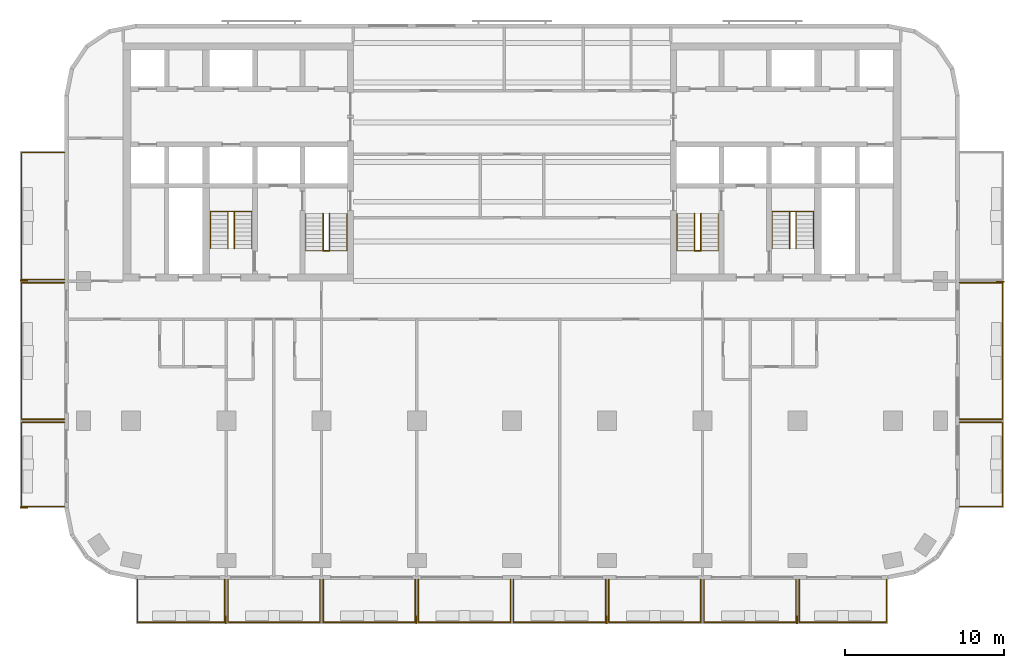
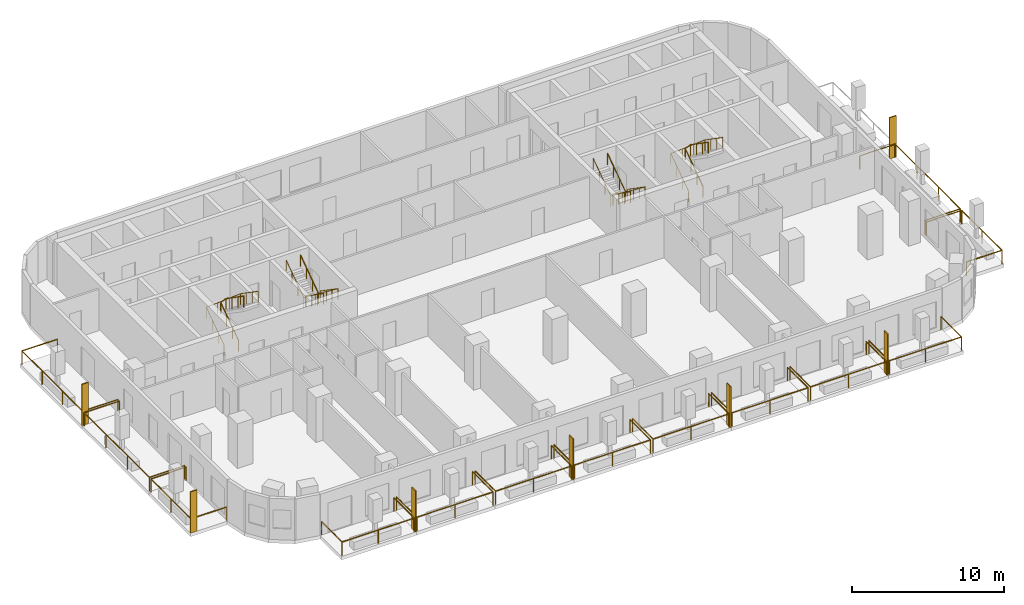
# One storey, part 9 of 11: 21 railings, 7 shading devices.
"""IFC4 building model written with IfcOpenShell, lengths in metres."""

from ifc_helpers import new_model, si_unit, direction, frame, origin, origin_2d, place, context, subcontext, project, spatial, rectangle, circle, extrude, material, layer, layer_set, type_object, element, save


model = new_model("IFC4")

# Units and contexts
model_context = context("Model", 3, precision=1e-05, world=origin(), true_north=direction((0.0, 1.0)))
body_context = subcontext(model_context, "Body", "Model", "MODEL_VIEW")
ifc_project = project(units=[si_unit("LENGTHUNIT", "METRE"), si_unit("AREAUNIT", "SQUARE_METRE"), si_unit("VOLUMEUNIT", "CUBIC_METRE"), si_unit("PLANEANGLEUNIT", "RADIAN"), si_unit("MASSUNIT", "GRAM", prefix="KILO")], contexts=[model_context])

# Site, building, storey
site_placement = place(None, origin())
site = spatial("IfcSite", under=ifc_project, at=site_placement, CompositionType="ELEMENT")
building_placement = place(site_placement, origin())
building = spatial("IfcBuilding", under=site, at=building_placement, Name="Torana Hotel and Residences", CompositionType="ELEMENT")
storey_placement = place(building_placement, frame((0.0, 0.0, 141.60009765625)))
storey = spatial("IfcBuildingStorey", under=building, at=storey_placement, Name="L36", CompositionType="ELEMENT", Elevation=141.60009765625)

# Shading devices
ifc_material_1 = material(Name="Black powder coated aluminium", Category="aluminium")
ifc_layer = layer(ifc_material_1, 0.080078125)
ifc_layer_set = layer_set([ifc_layer], Name="FN1 VERTICAL FIN 500x80")
shading_device_type = type_object("IfcShadingDeviceType", Name="FN1 VERTICAL FIN 500x80", PredefinedType="USERDEFINED", material=ifc_layer_set)
for number, where, z_axis, x_axis, name in (
    (1, (-18.0400390625, -36.35009765625, 0.0), (0.0, 0.0, 1.0), (-1.0, 0.0, 0.0), "Fin 01"),
    (2, (-6.0400390625, -36.35009765625, 0.0), (0.0, 0.0, 1.0), (-1.0, 0.0, 0.0), "Fin 03"),
    (3, (5.9599609375, -36.35009765625, 0.0), (0.0, 0.0, 1.0), (-1.0, 0.0, 0.0), "Fin 05"),
    (4, (17.9599609375, -36.35009765625, 0.0), (0.0, 0.0, 1.0), (-1.0, 0.0, 0.0), "Fin 07"),
    (5, (-30.75, -29.260009765625, 0.0), (0.0, 0.0, 1.0), (0.0, 1.0, 0.0), "Fin 09"),
    (6, (-30.75, -14.9599609375, 0.0), (0.0, 0.0, 1.0), (0.0, 1.0, 0.0), "Fin 11"),
    (7, (30.75, -15.0400390625, 0.0), (0.0, 0.0, 1.0), (0.0, -1.0, 0.0), "Fin 13"),
):
    element("IfcShadingDevice", number, at=place(storey_placement, frame(where, z_axis=z_axis, x_axis=x_axis)), inside=storey, type_object=shading_device_type, Name=name, ObjectType="FIN", PredefinedType="USERDEFINED", context=body_context, shape_type="SweptSolid", body=[
        extrude(rectangle(XDim=0.080078125, YDim=0.5, at=origin_2d()), origin(), (0.0, 0.0, 1.0), 3.320068359375),
    ])

# Railings
ifc_material_2 = material(Name="Laminated glass balustrade with black handrail", Category="glass")
railing_type_1 = type_object("IfcRailingType", Name="GR1 BALCONY GUARD 1100 GLASS", PredefinedType="GUARDRAIL", material=ifc_material_2)
railing_1_placement = place(storey_placement, frame((-18.10009765625, -33.800048828125, 0.0)))
element("IfcRailing", 8, at=railing_1_placement, inside=storey, type_object=railing_type_1, Name="Balcony guard 01", PredefinedType="GUARDRAIL", context=body_context, shape_type="SweptSolid", body=[
    extrude(circle(Radius=0.02392578125, at=origin_2d()), frame((0.0, 0.0, 1.076171875), z_axis=(0.0, -1.0, 0.0), x_axis=(1.0, 0.0, 0.0)), (0.0, 0.0, 1.0), 2.699951171875),
    extrude(circle(Radius=0.02392578125, at=origin_2d()), frame((0.0, -2.699951171875, 1.076171875), z_axis=(-1.0, 0.0, 0.0), x_axis=(0.0, -1.0, 0.0)), (0.0, 0.0, 1.0), 5.5),
    extrude(circle(Radius=0.02392578125, at=origin_2d()), frame((-5.5, -2.699951171875, 1.076171875), z_axis=(0.0, 1.0, 0.0), x_axis=(-1.0, 0.0, 0.0)), (0.0, 0.0, 1.0), 2.699951171875),
    extrude(circle(Radius=0.02099609375, at=origin_2d()), origin(), (0.0, 0.0, 1.0), 1.052001953125),
    extrude(circle(Radius=0.02099609375, at=origin_2d()), frame((0.0, -2.699951171875, 0.0)), (0.0, 0.0, 1.0), 1.052001953125),
    extrude(circle(Radius=0.02099609375, at=origin_2d()), frame((-2.75, -2.699951171875, 0.0)), (0.0, 0.0, 1.0), 1.052001953125),
    extrude(circle(Radius=0.02099609375, at=origin_2d()), frame((-5.5, -2.699951171875, 0.0)), (0.0, 0.0, 1.0), 1.052001953125),
    extrude(circle(Radius=0.02099609375, at=origin_2d()), frame((-5.5, 0.0, 0.0)), (0.0, 0.0, 1.0), 1.052001953125),
])
for number, where, name in (
    (9, (-12.10009765625, -33.800048828125, 0.0), "Balcony guard 02"),
    (10, (-6.10009765625, -33.800048828125, 0.0), "Balcony guard 03"),
    (11, (-0.10009765625, -33.800048828125, 0.0), "Balcony guard 04"),
    (12, (5.89990234375, -33.800048828125, 0.0), "Balcony guard 05"),
    (13, (11.89990234375, -33.800048828125, 0.0), "Balcony guard 06"),
    (14, (17.89990234375, -33.800048828125, 0.0), "Balcony guard 07"),
):
    element("IfcRailing", number, at=place(storey_placement, frame(where)), inside=storey, type_object=railing_type_1, Name=name, PredefinedType="GUARDRAIL", context=body_context, shape_type="SweptSolid", body=[
        extrude(circle(Radius=0.02392578125, at=origin_2d()), frame((0.0, 0.0, 1.076171875), z_axis=(0.0, -1.0, 0.0), x_axis=(1.0, 0.0, 0.0)), (0.0, 0.0, 1.0), 2.699951171875),
        extrude(circle(Radius=0.02392578125, at=origin_2d()), frame((0.0, -2.699951171875, 1.076171875), z_axis=(-1.0, 0.0, 0.0), x_axis=(0.0, -1.0, 0.0)), (0.0, 0.0, 1.0), 5.7998046875),
        extrude(circle(Radius=0.02392578125, at=origin_2d()), frame((-5.7998046875, -2.699951171875, 1.076171875), z_axis=(0.0, 1.0, 0.0), x_axis=(-1.0, 0.0, 0.0)), (0.0, 0.0, 1.0), 2.699951171875),
        extrude(circle(Radius=0.02099609375, at=origin_2d()), origin(), (0.0, 0.0, 1.0), 1.052001953125),
        extrude(circle(Radius=0.02099609375, at=origin_2d()), frame((0.0, -2.699951171875, 0.0)), (0.0, 0.0, 1.0), 1.052001953125),
        extrude(circle(Radius=0.02099609375, at=origin_2d()), frame((-2.89990234375, -2.699951171875, 0.0)), (0.0, 0.0, 1.0), 1.052001953125),
        extrude(circle(Radius=0.02099609375, at=origin_2d()), frame((-5.7998046875, -2.699951171875, 0.0)), (0.0, 0.0, 1.0), 1.052001953125),
        extrude(circle(Radius=0.02099609375, at=origin_2d()), frame((-5.7998046875, 0.0, 0.0)), (0.0, 0.0, 1.0), 1.052001953125),
    ])
railing_2_placement = place(storey_placement, frame((23.60009765625, -33.800048828125, 0.0)))
element("IfcRailing", 15, at=railing_2_placement, inside=storey, type_object=railing_type_1, Name="Balcony guard 08", PredefinedType="GUARDRAIL", context=body_context, shape_type="SweptSolid", body=[
    extrude(circle(Radius=0.02392578125, at=origin_2d()), frame((0.0, 0.0, 1.076171875), z_axis=(0.0, -1.0, 0.0), x_axis=(1.0, 0.0, 0.0)), (0.0, 0.0, 1.0), 2.699951171875),
    extrude(circle(Radius=0.02392578125, at=origin_2d()), frame((0.0, -2.699951171875, 1.076171875), z_axis=(-1.0, 0.0, 0.0), x_axis=(0.0, -1.0, 0.0)), (0.0, 0.0, 1.0), 5.5),
    extrude(circle(Radius=0.02392578125, at=origin_2d()), frame((-5.5, -2.699951171875, 1.076171875), z_axis=(0.0, 1.0, 0.0), x_axis=(-1.0, 0.0, 0.0)), (0.0, 0.0, 1.0), 2.699951171875),
    extrude(circle(Radius=0.02099609375, at=origin_2d()), origin(), (0.0, 0.0, 1.0), 1.052001953125),
    extrude(circle(Radius=0.02099609375, at=origin_2d()), frame((0.0, -2.699951171875, 0.0)), (0.0, 0.0, 1.0), 1.052001953125),
    extrude(circle(Radius=0.02099609375, at=origin_2d()), frame((-2.75, -2.699951171875, 0.0)), (0.0, 0.0, 1.0), 1.052001953125),
    extrude(circle(Radius=0.02099609375, at=origin_2d()), frame((-5.5, -2.699951171875, 0.0)), (0.0, 0.0, 1.0), 1.052001953125),
    extrude(circle(Radius=0.02099609375, at=origin_2d()), frame((-5.5, 0.0, 0.0)), (0.0, 0.0, 1.0), 1.052001953125),
])
railing_3_placement = place(storey_placement, frame((-28.199951171875, -29.199951171875, 0.0)))
element("IfcRailing", 16, at=railing_3_placement, inside=storey, type_object=railing_type_1, Name="Balcony guard 09", PredefinedType="GUARDRAIL", context=body_context, shape_type="SweptSolid", body=[
    extrude(circle(Radius=0.02392578125, at=origin_2d()), frame((0.0, 0.0, 1.076171875), z_axis=(-1.0, 0.0, 0.0), x_axis=(0.0, -1.0, 0.0)), (0.0, 0.0, 1.0), 2.699951171875),
    extrude(circle(Radius=0.02392578125, at=origin_2d()), frame((-2.699951171875, 0.0, 1.076171875), z_axis=(0.0, 1.0, 0.0), x_axis=(-1.0, 0.0, 0.0)), (0.0, 0.0, 1.0), 5.300048828125),
    extrude(circle(Radius=0.02392578125, at=origin_2d()), frame((-2.699951171875, 5.300048828125, 1.076171875), z_axis=(1.0, 0.0, 0.0), x_axis=(0.0, 1.0, 0.0)), (0.0, 0.0, 1.0), 2.699951171875),
    extrude(circle(Radius=0.02099609375, at=origin_2d()), origin(), (0.0, 0.0, 1.0), 1.052001953125),
    extrude(circle(Radius=0.02099609375, at=origin_2d()), frame((-2.699951171875, 0.0, 0.0)), (0.0, 0.0, 1.0), 1.052001953125),
    extrude(circle(Radius=0.02099609375, at=origin_2d()), frame((-2.699951171875, 2.64990234375, 0.0)), (0.0, 0.0, 1.0), 1.052001953125),
    extrude(circle(Radius=0.02099609375, at=origin_2d()), frame((-2.699951171875, 5.300048828125, 0.0)), (0.0, 0.0, 1.0), 1.052001953125),
    extrude(circle(Radius=0.02099609375, at=origin_2d()), frame((0.0, 5.300048828125, 0.0)), (0.0, 0.0, 1.0), 1.052001953125),
])
railing_4_placement = place(storey_placement, frame((-28.199951171875, -23.699951171875, 0.0)))
element("IfcRailing", 17, at=railing_4_placement, inside=storey, type_object=railing_type_1, Name="Balcony guard 10", PredefinedType="GUARDRAIL", context=body_context, shape_type="SweptSolid", body=[
    extrude(circle(Radius=0.02392578125, at=origin_2d()), frame((0.0, 0.0, 1.076171875), z_axis=(-1.0, 0.0, 0.0), x_axis=(0.0, -1.0, 0.0)), (0.0, 0.0, 1.0), 2.699951171875),
    extrude(circle(Radius=0.02392578125, at=origin_2d()), frame((-2.699951171875, 0.0, 1.076171875), z_axis=(0.0, 1.0, 0.0), x_axis=(-1.0, 0.0, 0.0)), (0.0, 0.0, 1.0), 8.599853515625),
    extrude(circle(Radius=0.02392578125, at=origin_2d()), frame((-2.699951171875, 8.599853515625, 1.076171875), z_axis=(1.0, 0.0, 0.0), x_axis=(0.0, 1.0, 0.0)), (0.0, 0.0, 1.0), 2.699951171875),
    extrude(circle(Radius=0.02099609375, at=origin_2d()), origin(), (0.0, 0.0, 1.0), 1.052001953125),
    extrude(circle(Radius=0.02099609375, at=origin_2d()), frame((-2.699951171875, 0.0, 0.0)), (0.0, 0.0, 1.0), 1.052001953125),
    extrude(circle(Radius=0.02099609375, at=origin_2d()), frame((-2.699951171875, 2.86669921875, 0.0)), (0.0, 0.0, 1.0), 1.052001953125),
    extrude(circle(Radius=0.02099609375, at=origin_2d()), frame((-2.699951171875, 5.733154296875, 0.0)), (0.0, 0.0, 1.0), 1.052001953125),
    extrude(circle(Radius=0.02099609375, at=origin_2d()), frame((-2.699951171875, 8.599853515625, 0.0)), (0.0, 0.0, 1.0), 1.052001953125),
    extrude(circle(Radius=0.02099609375, at=origin_2d()), frame((0.0, 8.599853515625, 0.0)), (0.0, 0.0, 1.0), 1.052001953125),
])
railing_5_placement = place(storey_placement, frame((-28.199951171875, -14.89990234375, 0.0)))
element("IfcRailing", 18, at=railing_5_placement, inside=storey, type_object=railing_type_1, Name="Balcony guard 11", PredefinedType="GUARDRAIL", context=body_context, shape_type="SweptSolid", body=[
    extrude(circle(Radius=0.02392578125, at=origin_2d()), frame((0.0, 0.0, 1.076171875), z_axis=(-1.0, 0.0, 0.0), x_axis=(0.0, -1.0, 0.0)), (0.0, 0.0, 1.0), 2.699951171875),
    extrude(circle(Radius=0.02392578125, at=origin_2d()), frame((-2.699951171875, 0.0, 1.076171875), z_axis=(0.0, 1.0, 0.0), x_axis=(-1.0, 0.0, 0.0)), (0.0, 0.0, 1.0), 8.0),
    extrude(circle(Radius=0.02392578125, at=origin_2d()), frame((-2.699951171875, 8.0, 1.076171875), z_axis=(1.0, 0.0, 0.0), x_axis=(0.0, 1.0, 0.0)), (0.0, 0.0, 1.0), 2.699951171875),
    extrude(circle(Radius=0.02099609375, at=origin_2d()), origin(), (0.0, 0.0, 1.0), 1.052001953125),
    extrude(circle(Radius=0.02099609375, at=origin_2d()), frame((-2.699951171875, 0.0, 0.0)), (0.0, 0.0, 1.0), 1.052001953125),
    extrude(circle(Radius=0.02099609375, at=origin_2d()), frame((-2.699951171875, 2.666748046875, 0.0)), (0.0, 0.0, 1.0), 1.052001953125),
    extrude(circle(Radius=0.02099609375, at=origin_2d()), frame((-2.699951171875, 5.333251953125, 0.0)), (0.0, 0.0, 1.0), 1.052001953125),
    extrude(circle(Radius=0.02099609375, at=origin_2d()), frame((-2.699951171875, 8.0, 0.0)), (0.0, 0.0, 1.0), 1.052001953125),
    extrude(circle(Radius=0.02099609375, at=origin_2d()), frame((0.0, 8.0, 0.0)), (0.0, 0.0, 1.0), 1.052001953125),
])
railing_6_placement = place(storey_placement, frame((28.199951171875, -23.89990234375, 0.0)))
element("IfcRailing", 19, at=railing_6_placement, inside=storey, type_object=railing_type_1, Name="Balcony guard 12", PredefinedType="GUARDRAIL", context=body_context, shape_type="SweptSolid", body=[
    extrude(circle(Radius=0.02392578125, at=origin_2d()), frame((0.0, 0.0, 1.076171875), z_axis=(1.0, 0.0, 0.0), x_axis=(0.0, 1.0, 0.0)), (0.0, 0.0, 1.0), 2.699951171875),
    extrude(circle(Radius=0.02392578125, at=origin_2d()), frame((2.699951171875, 0.0, 1.076171875), z_axis=(0.0, -1.0, 0.0), x_axis=(1.0, 0.0, 0.0)), (0.0, 0.0, 1.0), 5.300048828125),
    extrude(circle(Radius=0.02392578125, at=origin_2d()), frame((2.699951171875, -5.300048828125, 1.076171875), z_axis=(-1.0, 0.0, 0.0), x_axis=(0.0, -1.0, 0.0)), (0.0, 0.0, 1.0), 2.699951171875),
    extrude(circle(Radius=0.02099609375, at=origin_2d()), origin(), (0.0, 0.0, 1.0), 1.052001953125),
    extrude(circle(Radius=0.02099609375, at=origin_2d()), frame((2.699951171875, 0.0, 0.0)), (0.0, 0.0, 1.0), 1.052001953125),
    extrude(circle(Radius=0.02099609375, at=origin_2d()), frame((2.699951171875, -2.64990234375, 0.0)), (0.0, 0.0, 1.0), 1.052001953125),
    extrude(circle(Radius=0.02099609375, at=origin_2d()), frame((2.699951171875, -5.300048828125, 0.0)), (0.0, 0.0, 1.0), 1.052001953125),
    extrude(circle(Radius=0.02099609375, at=origin_2d()), frame((0.0, -5.300048828125, 0.0)), (0.0, 0.0, 1.0), 1.052001953125),
])
railing_7_placement = place(storey_placement, frame((28.199951171875, -15.10009765625, 0.0)))
element("IfcRailing", 20, at=railing_7_placement, inside=storey, type_object=railing_type_1, Name="Balcony guard 13", PredefinedType="GUARDRAIL", context=body_context, shape_type="SweptSolid", body=[
    extrude(circle(Radius=0.02392578125, at=origin_2d()), frame((0.0, 0.0, 1.076171875), z_axis=(1.0, 0.0, 0.0), x_axis=(0.0, 1.0, 0.0)), (0.0, 0.0, 1.0), 2.699951171875),
    extrude(circle(Radius=0.02392578125, at=origin_2d()), frame((2.699951171875, 0.0, 1.076171875), z_axis=(0.0, -1.0, 0.0), x_axis=(1.0, 0.0, 0.0)), (0.0, 0.0, 1.0), 8.599853515625),
    extrude(circle(Radius=0.02392578125, at=origin_2d()), frame((2.699951171875, -8.599853515625, 1.076171875), z_axis=(-1.0, 0.0, 0.0), x_axis=(0.0, -1.0, 0.0)), (0.0, 0.0, 1.0), 2.699951171875),
    extrude(circle(Radius=0.02099609375, at=origin_2d()), origin(), (0.0, 0.0, 1.0), 1.052001953125),
    extrude(circle(Radius=0.02099609375, at=origin_2d()), frame((2.699951171875, 0.0, 0.0)), (0.0, 0.0, 1.0), 1.052001953125),
    extrude(circle(Radius=0.02099609375, at=origin_2d()), frame((2.699951171875, -2.86669921875, 0.0)), (0.0, 0.0, 1.0), 1.052001953125),
    extrude(circle(Radius=0.02099609375, at=origin_2d()), frame((2.699951171875, -5.733154296875, 0.0)), (0.0, 0.0, 1.0), 1.052001953125),
    extrude(circle(Radius=0.02099609375, at=origin_2d()), frame((2.699951171875, -8.599853515625, 0.0)), (0.0, 0.0, 1.0), 1.052001953125),
    extrude(circle(Radius=0.02099609375, at=origin_2d()), frame((0.0, -8.599853515625, 0.0)), (0.0, 0.0, 1.0), 1.052001953125),
])
ifc_material_3 = material(Name="Stainless steel 316", Category="steel")
railing_type_2 = type_object("IfcRailingType", Name="STAIR HANDRAIL HR1 900", PredefinedType="HANDRAIL", material=ifc_material_3)
railing_8_placement = place(storey_placement, frame((-10.39990234375, -10.75, 0.179931640625)))
element("IfcRailing", 21, at=railing_8_placement, inside=storey, type_object=railing_type_2, Name="Handrail ST1 L36 O1", PredefinedType="HANDRAIL", context=body_context, shape_type="SweptSolid", body=[
    extrude(circle(Radius=0.02392578125, at=origin_2d()), frame((0.0, 0.0, 0.8759765625), z_axis=(0.0, -0.822223072051, 0.569165371211), x_axis=(1.0, 0.0, 0.0)), (0.0, 0.0, 1.0), 2.845947265625),
    extrude(circle(Radius=0.02392578125, at=origin_2d()), frame((0.0, -2.340087890625, 2.49560546875), z_axis=(-0.997607660209, 0.0, 0.069129995609), x_axis=(0.0, -1.0, 0.0)), (0.0, 0.0, 1.0), 2.6064453125),
    extrude(circle(Radius=0.02392578125, at=origin_2d()), frame((-2.60009765625, -2.340087890625, 2.67578125), z_axis=(0.0, 0.822223072051, 0.569165371211), x_axis=(-1.0, 0.0, 0.0)), (0.0, 0.0, 1.0), 2.845947265625),
    extrude(circle(Radius=0.02099609375, at=origin_2d()), origin(), (0.0, 0.0, 1.0), 0.851806640625),
    extrude(circle(Radius=0.02099609375, at=origin_2d()), frame((0.0, -0.780029296875, 0.5400390625)), (0.0, 0.0, 1.0), 0.851806640625),
    extrude(circle(Radius=0.02099609375, at=origin_2d()), frame((0.0, -1.56005859375, 1.079833984375)), (0.0, 0.0, 1.0), 0.851806640625),
    extrude(circle(Radius=0.02099609375, at=origin_2d()), frame((0.0, -2.340087890625, 1.619873046875)), (0.0, 0.0, 1.0), 0.851806640625),
    extrude(circle(Radius=0.02099609375, at=origin_2d()), frame((-0.86669921875, -2.340087890625, 1.679931640625)), (0.0, 0.0, 1.0), 0.851806640625),
    extrude(circle(Radius=0.02099609375, at=origin_2d()), frame((-1.7333984375, -2.340087890625, 1.739990234375)), (0.0, 0.0, 1.0), 0.851806640625),
    extrude(circle(Radius=0.02099609375, at=origin_2d()), frame((-2.60009765625, -2.340087890625, 1.800048828125)), (0.0, 0.0, 1.0), 0.851806640625),
    extrude(circle(Radius=0.02099609375, at=origin_2d()), frame((-2.60009765625, -1.56005859375, 2.340087890625)), (0.0, 0.0, 1.0), 0.851806640625),
    extrude(circle(Radius=0.02099609375, at=origin_2d()), frame((-2.60009765625, -0.780029296875, 2.8798828125)), (0.0, 0.0, 1.0), 0.851806640625),
    extrude(circle(Radius=0.02099609375, at=origin_2d()), frame((-2.60009765625, 0.0, 3.419921875)), (0.0, 0.0, 1.0), 0.851806640625),
])
railing_9_placement = place(storey_placement, frame((-11.5, -10.75, 0.179931640625)))
element("IfcRailing", 22, at=railing_9_placement, inside=storey, type_object=railing_type_2, Name="Handrail ST1 L36 I1", PredefinedType="HANDRAIL", context=body_context, shape_type="SweptSolid", body=[
    extrude(circle(Radius=0.02392578125, at=origin_2d()), frame((0.0, 0.0, 0.8759765625), z_axis=(0.0, -0.822223072051, 0.569165371211), x_axis=(1.0, 0.0, 0.0)), (0.0, 0.0, 1.0), 2.845947265625),
    extrude(circle(Radius=0.02392578125, at=origin_2d()), frame((0.0, -2.340087890625, 2.49560546875), z_axis=(-0.911733943306, 0.0, 0.410781227204), x_axis=(0.0, -1.0, 0.0)), (0.0, 0.0, 1.0), 0.438720703125),
    extrude(circle(Radius=0.02392578125, at=origin_2d()), frame((-0.39990234375, -2.340087890625, 2.67578125), z_axis=(0.0, 0.822223072051, 0.569165371211), x_axis=(-1.0, 0.0, 0.0)), (0.0, 0.0, 1.0), 2.845947265625),
    extrude(circle(Radius=0.02099609375, at=origin_2d()), origin(), (0.0, 0.0, 1.0), 0.851806640625),
    extrude(circle(Radius=0.02099609375, at=origin_2d()), frame((0.0, -0.780029296875, 0.5400390625)), (0.0, 0.0, 1.0), 0.851806640625),
    extrude(circle(Radius=0.02099609375, at=origin_2d()), frame((0.0, -1.56005859375, 1.079833984375)), (0.0, 0.0, 1.0), 0.851806640625),
    extrude(circle(Radius=0.02099609375, at=origin_2d()), frame((0.0, -2.340087890625, 1.619873046875)), (0.0, 0.0, 1.0), 0.851806640625),
    extrude(circle(Radius=0.02099609375, at=origin_2d()), frame((-0.39990234375, -2.340087890625, 1.800048828125)), (0.0, 0.0, 1.0), 0.851806640625),
    extrude(circle(Radius=0.02099609375, at=origin_2d()), frame((-0.39990234375, -1.56005859375, 2.340087890625)), (0.0, 0.0, 1.0), 0.851806640625),
    extrude(circle(Radius=0.02099609375, at=origin_2d()), frame((-0.39990234375, -0.780029296875, 2.8798828125)), (0.0, 0.0, 1.0), 0.851806640625),
    extrude(circle(Radius=0.02099609375, at=origin_2d()), frame((-0.39990234375, 0.0, 3.419921875)), (0.0, 0.0, 1.0), 0.851806640625),
])
railing_10_placement = place(storey_placement, frame((-19.0, -12.949951171875, 0.179931640625)))
element("IfcRailing", 23, at=railing_10_placement, inside=storey, type_object=railing_type_2, Name="Handrail ST2 L36 O1", PredefinedType="HANDRAIL", context=body_context, shape_type="SweptSolid", body=[
    extrude(circle(Radius=0.02392578125, at=origin_2d()), frame((0.0, 0.0, 0.8759765625), z_axis=(0.0, 0.822195280011, 0.569205517829), x_axis=(-1.0, 0.0, 0.0)), (0.0, 0.0, 1.0), 2.845947265625),
    extrude(circle(Radius=0.02392578125, at=origin_2d()), frame((0.0, 2.33984375, 2.49560546875), z_axis=(0.997607660209, 0.0, 0.069129995609), x_axis=(0.0, 1.0, 0.0)), (0.0, 0.0, 1.0), 2.6064453125),
    extrude(circle(Radius=0.02392578125, at=origin_2d()), frame((2.60009765625, 2.33984375, 2.67578125), z_axis=(0.0, -0.822195280011, 0.569205517829), x_axis=(1.0, 0.0, 0.0)), (0.0, 0.0, 1.0), 2.845947265625),
    extrude(circle(Radius=0.02099609375, at=origin_2d()), origin(), (0.0, 0.0, 1.0), 0.851806640625),
    extrude(circle(Radius=0.02099609375, at=origin_2d()), frame((0.0, 0.780029296875, 0.5400390625)), (0.0, 0.0, 1.0), 0.851806640625),
    extrude(circle(Radius=0.02099609375, at=origin_2d()), frame((0.0, 1.559814453125, 1.079833984375)), (0.0, 0.0, 1.0), 0.851806640625),
    extrude(circle(Radius=0.02099609375, at=origin_2d()), frame((0.0, 2.33984375, 1.619873046875)), (0.0, 0.0, 1.0), 0.851806640625),
    extrude(circle(Radius=0.02099609375, at=origin_2d()), frame((0.86669921875, 2.33984375, 1.679931640625)), (0.0, 0.0, 1.0), 0.851806640625),
    extrude(circle(Radius=0.02099609375, at=origin_2d()), frame((1.7333984375, 2.33984375, 1.739990234375)), (0.0, 0.0, 1.0), 0.851806640625),
    extrude(circle(Radius=0.02099609375, at=origin_2d()), frame((2.60009765625, 2.33984375, 1.800048828125)), (0.0, 0.0, 1.0), 0.851806640625),
    extrude(circle(Radius=0.02099609375, at=origin_2d()), frame((2.60009765625, 1.559814453125, 2.340087890625)), (0.0, 0.0, 1.0), 0.851806640625),
    extrude(circle(Radius=0.02099609375, at=origin_2d()), frame((2.60009765625, 0.780029296875, 2.8798828125)), (0.0, 0.0, 1.0), 0.851806640625),
    extrude(circle(Radius=0.02099609375, at=origin_2d()), frame((2.60009765625, 0.0, 3.419921875)), (0.0, 0.0, 1.0), 0.851806640625),
])
railing_11_placement = place(storey_placement, frame((-17.89990234375, -12.949951171875, 0.179931640625)))
element("IfcRailing", 24, at=railing_11_placement, inside=storey, type_object=railing_type_2, Name="Handrail ST2 L36 I1", PredefinedType="HANDRAIL", context=body_context, shape_type="SweptSolid", body=[
    extrude(circle(Radius=0.02392578125, at=origin_2d()), frame((0.0, 0.0, 0.8759765625), z_axis=(0.0, 0.822195280011, 0.569205517829), x_axis=(-1.0, 0.0, 0.0)), (0.0, 0.0, 1.0), 2.845947265625),
    extrude(circle(Radius=0.02392578125, at=origin_2d()), frame((0.0, 2.33984375, 2.49560546875), z_axis=(0.911733943306, 0.0, 0.410781227204), x_axis=(0.0, 1.0, 0.0)), (0.0, 0.0, 1.0), 0.438720703125),
    extrude(circle(Radius=0.02392578125, at=origin_2d()), frame((0.39990234375, 2.33984375, 2.67578125), z_axis=(0.0, -0.822195280011, 0.569205517829), x_axis=(1.0, 0.0, 0.0)), (0.0, 0.0, 1.0), 2.845947265625),
    extrude(circle(Radius=0.02099609375, at=origin_2d()), origin(), (0.0, 0.0, 1.0), 0.851806640625),
    extrude(circle(Radius=0.02099609375, at=origin_2d()), frame((0.0, 0.780029296875, 0.5400390625)), (0.0, 0.0, 1.0), 0.851806640625),
    extrude(circle(Radius=0.02099609375, at=origin_2d()), frame((0.0, 1.559814453125, 1.079833984375)), (0.0, 0.0, 1.0), 0.851806640625),
    extrude(circle(Radius=0.02099609375, at=origin_2d()), frame((0.0, 2.33984375, 1.619873046875)), (0.0, 0.0, 1.0), 0.851806640625),
    extrude(circle(Radius=0.02099609375, at=origin_2d()), frame((0.39990234375, 2.33984375, 1.800048828125)), (0.0, 0.0, 1.0), 0.851806640625),
    extrude(circle(Radius=0.02099609375, at=origin_2d()), frame((0.39990234375, 1.559814453125, 2.340087890625)), (0.0, 0.0, 1.0), 0.851806640625),
    extrude(circle(Radius=0.02099609375, at=origin_2d()), frame((0.39990234375, 0.780029296875, 2.8798828125)), (0.0, 0.0, 1.0), 0.851806640625),
    extrude(circle(Radius=0.02099609375, at=origin_2d()), frame((0.39990234375, 0.0, 3.419921875)), (0.0, 0.0, 1.0), 0.851806640625),
])
railing_12_placement = place(storey_placement, frame((13.0, -10.75, 0.179931640625)))
element("IfcRailing", 25, at=railing_12_placement, inside=storey, type_object=railing_type_2, Name="Handrail ST3 L36 O1", PredefinedType="HANDRAIL", context=body_context, shape_type="SweptSolid", body=[
    extrude(circle(Radius=0.02392578125, at=origin_2d()), frame((0.0, 0.0, 0.8759765625), z_axis=(0.0, -0.822223072051, 0.569165371211), x_axis=(1.0, 0.0, 0.0)), (0.0, 0.0, 1.0), 2.845947265625),
    extrude(circle(Radius=0.02392578125, at=origin_2d()), frame((0.0, -2.340087890625, 2.49560546875), z_axis=(-0.997607660209, 0.0, 0.069129995609), x_axis=(0.0, -1.0, 0.0)), (0.0, 0.0, 1.0), 2.6064453125),
    extrude(circle(Radius=0.02392578125, at=origin_2d()), frame((-2.60009765625, -2.340087890625, 2.67578125), z_axis=(0.0, 0.822223072051, 0.569165371211), x_axis=(-1.0, 0.0, 0.0)), (0.0, 0.0, 1.0), 2.845947265625),
    extrude(circle(Radius=0.02099609375, at=origin_2d()), origin(), (0.0, 0.0, 1.0), 0.851806640625),
    extrude(circle(Radius=0.02099609375, at=origin_2d()), frame((0.0, -0.780029296875, 0.5400390625)), (0.0, 0.0, 1.0), 0.851806640625),
    extrude(circle(Radius=0.02099609375, at=origin_2d()), frame((0.0, -1.56005859375, 1.079833984375)), (0.0, 0.0, 1.0), 0.851806640625),
    extrude(circle(Radius=0.02099609375, at=origin_2d()), frame((0.0, -2.340087890625, 1.619873046875)), (0.0, 0.0, 1.0), 0.851806640625),
    extrude(circle(Radius=0.02099609375, at=origin_2d()), frame((-0.86669921875, -2.340087890625, 1.679931640625)), (0.0, 0.0, 1.0), 0.851806640625),
    extrude(circle(Radius=0.02099609375, at=origin_2d()), frame((-1.7333984375, -2.340087890625, 1.739990234375)), (0.0, 0.0, 1.0), 0.851806640625),
    extrude(circle(Radius=0.02099609375, at=origin_2d()), frame((-2.60009765625, -2.340087890625, 1.800048828125)), (0.0, 0.0, 1.0), 0.851806640625),
    extrude(circle(Radius=0.02099609375, at=origin_2d()), frame((-2.60009765625, -1.56005859375, 2.340087890625)), (0.0, 0.0, 1.0), 0.851806640625),
    extrude(circle(Radius=0.02099609375, at=origin_2d()), frame((-2.60009765625, -0.780029296875, 2.8798828125)), (0.0, 0.0, 1.0), 0.851806640625),
    extrude(circle(Radius=0.02099609375, at=origin_2d()), frame((-2.60009765625, 0.0, 3.419921875)), (0.0, 0.0, 1.0), 0.851806640625),
])
railing_13_placement = place(storey_placement, frame((11.89990234375, -10.75, 0.179931640625)))
element("IfcRailing", 26, at=railing_13_placement, inside=storey, type_object=railing_type_2, Name="Handrail ST3 L36 I1", PredefinedType="HANDRAIL", context=body_context, shape_type="SweptSolid", body=[
    extrude(circle(Radius=0.02392578125, at=origin_2d()), frame((0.0, 0.0, 0.8759765625), z_axis=(0.0, -0.822223072051, 0.569165371211), x_axis=(1.0, 0.0, 0.0)), (0.0, 0.0, 1.0), 2.845947265625),
    extrude(circle(Radius=0.02392578125, at=origin_2d()), frame((0.0, -2.340087890625, 2.49560546875), z_axis=(-0.911733943306, 0.0, 0.410781227204), x_axis=(0.0, -1.0, 0.0)), (0.0, 0.0, 1.0), 0.438720703125),
    extrude(circle(Radius=0.02392578125, at=origin_2d()), frame((-0.39990234375, -2.340087890625, 2.67578125), z_axis=(0.0, 0.822223072051, 0.569165371211), x_axis=(-1.0, 0.0, 0.0)), (0.0, 0.0, 1.0), 2.845947265625),
    extrude(circle(Radius=0.02099609375, at=origin_2d()), origin(), (0.0, 0.0, 1.0), 0.851806640625),
    extrude(circle(Radius=0.02099609375, at=origin_2d()), frame((0.0, -0.780029296875, 0.5400390625)), (0.0, 0.0, 1.0), 0.851806640625),
    extrude(circle(Radius=0.02099609375, at=origin_2d()), frame((0.0, -1.56005859375, 1.079833984375)), (0.0, 0.0, 1.0), 0.851806640625),
    extrude(circle(Radius=0.02099609375, at=origin_2d()), frame((0.0, -2.340087890625, 1.619873046875)), (0.0, 0.0, 1.0), 0.851806640625),
    extrude(circle(Radius=0.02099609375, at=origin_2d()), frame((-0.39990234375, -2.340087890625, 1.800048828125)), (0.0, 0.0, 1.0), 0.851806640625),
    extrude(circle(Radius=0.02099609375, at=origin_2d()), frame((-0.39990234375, -1.56005859375, 2.340087890625)), (0.0, 0.0, 1.0), 0.851806640625),
    extrude(circle(Radius=0.02099609375, at=origin_2d()), frame((-0.39990234375, -0.780029296875, 2.8798828125)), (0.0, 0.0, 1.0), 0.851806640625),
    extrude(circle(Radius=0.02099609375, at=origin_2d()), frame((-0.39990234375, 0.0, 3.419921875)), (0.0, 0.0, 1.0), 0.851806640625),
])
railing_14_placement = place(storey_placement, frame((16.39990234375, -12.949951171875, 0.179931640625)))
element("IfcRailing", 27, at=railing_14_placement, inside=storey, type_object=railing_type_2, Name="Handrail ST4 L36 O1", PredefinedType="HANDRAIL", context=body_context, shape_type="SweptSolid", body=[
    extrude(circle(Radius=0.02392578125, at=origin_2d()), frame((0.0, 0.0, 0.8759765625), z_axis=(0.0, 0.822195280011, 0.569205517829), x_axis=(-1.0, 0.0, 0.0)), (0.0, 0.0, 1.0), 2.845947265625),
    extrude(circle(Radius=0.02392578125, at=origin_2d()), frame((0.0, 2.33984375, 2.49560546875), z_axis=(0.997607660209, 0.0, 0.069129995609), x_axis=(0.0, 1.0, 0.0)), (0.0, 0.0, 1.0), 2.6064453125),
    extrude(circle(Radius=0.02392578125, at=origin_2d()), frame((2.60009765625, 2.33984375, 2.67578125), z_axis=(0.0, -0.822195280011, 0.569205517829), x_axis=(1.0, 0.0, 0.0)), (0.0, 0.0, 1.0), 2.845947265625),
    extrude(circle(Radius=0.02099609375, at=origin_2d()), origin(), (0.0, 0.0, 1.0), 0.851806640625),
    extrude(circle(Radius=0.02099609375, at=origin_2d()), frame((0.0, 0.780029296875, 0.5400390625)), (0.0, 0.0, 1.0), 0.851806640625),
    extrude(circle(Radius=0.02099609375, at=origin_2d()), frame((0.0, 1.559814453125, 1.079833984375)), (0.0, 0.0, 1.0), 0.851806640625),
    extrude(circle(Radius=0.02099609375, at=origin_2d()), frame((0.0, 2.33984375, 1.619873046875)), (0.0, 0.0, 1.0), 0.851806640625),
    extrude(circle(Radius=0.02099609375, at=origin_2d()), frame((0.86669921875, 2.33984375, 1.679931640625)), (0.0, 0.0, 1.0), 0.851806640625),
    extrude(circle(Radius=0.02099609375, at=origin_2d()), frame((1.7333984375, 2.33984375, 1.739990234375)), (0.0, 0.0, 1.0), 0.851806640625),
    extrude(circle(Radius=0.02099609375, at=origin_2d()), frame((2.60009765625, 2.33984375, 1.800048828125)), (0.0, 0.0, 1.0), 0.851806640625),
    extrude(circle(Radius=0.02099609375, at=origin_2d()), frame((2.60009765625, 1.559814453125, 2.340087890625)), (0.0, 0.0, 1.0), 0.851806640625),
    extrude(circle(Radius=0.02099609375, at=origin_2d()), frame((2.60009765625, 0.780029296875, 2.8798828125)), (0.0, 0.0, 1.0), 0.851806640625),
    extrude(circle(Radius=0.02099609375, at=origin_2d()), frame((2.60009765625, 0.0, 3.419921875)), (0.0, 0.0, 1.0), 0.851806640625),
])
railing_15_placement = place(storey_placement, frame((17.5, -12.949951171875, 0.179931640625)))
element("IfcRailing", 28, at=railing_15_placement, inside=storey, type_object=railing_type_2, Name="Handrail ST4 L36 I1", PredefinedType="HANDRAIL", context=body_context, shape_type="SweptSolid", body=[
    extrude(circle(Radius=0.02392578125, at=origin_2d()), frame((0.0, 0.0, 0.8759765625), z_axis=(0.0, 0.822195280011, 0.569205517829), x_axis=(-1.0, 0.0, 0.0)), (0.0, 0.0, 1.0), 2.845947265625),
    extrude(circle(Radius=0.02392578125, at=origin_2d()), frame((0.0, 2.33984375, 2.49560546875), z_axis=(0.911733943306, 0.0, 0.410781227204), x_axis=(0.0, 1.0, 0.0)), (0.0, 0.0, 1.0), 0.438720703125),
    extrude(circle(Radius=0.02392578125, at=origin_2d()), frame((0.39990234375, 2.33984375, 2.67578125), z_axis=(0.0, -0.822195280011, 0.569205517829), x_axis=(1.0, 0.0, 0.0)), (0.0, 0.0, 1.0), 2.845947265625),
    extrude(circle(Radius=0.02099609375, at=origin_2d()), origin(), (0.0, 0.0, 1.0), 0.851806640625),
    extrude(circle(Radius=0.02099609375, at=origin_2d()), frame((0.0, 0.780029296875, 0.5400390625)), (0.0, 0.0, 1.0), 0.851806640625),
    extrude(circle(Radius=0.02099609375, at=origin_2d()), frame((0.0, 1.559814453125, 1.079833984375)), (0.0, 0.0, 1.0), 0.851806640625),
    extrude(circle(Radius=0.02099609375, at=origin_2d()), frame((0.0, 2.33984375, 1.619873046875)), (0.0, 0.0, 1.0), 0.851806640625),
    extrude(circle(Radius=0.02099609375, at=origin_2d()), frame((0.39990234375, 2.33984375, 1.800048828125)), (0.0, 0.0, 1.0), 0.851806640625),
    extrude(circle(Radius=0.02099609375, at=origin_2d()), frame((0.39990234375, 1.559814453125, 2.340087890625)), (0.0, 0.0, 1.0), 0.851806640625),
    extrude(circle(Radius=0.02099609375, at=origin_2d()), frame((0.39990234375, 0.780029296875, 2.8798828125)), (0.0, 0.0, 1.0), 0.851806640625),
    extrude(circle(Radius=0.02099609375, at=origin_2d()), frame((0.39990234375, 0.0, 3.419921875)), (0.0, 0.0, 1.0), 0.851806640625),
])

save(model, "model.ifc")
